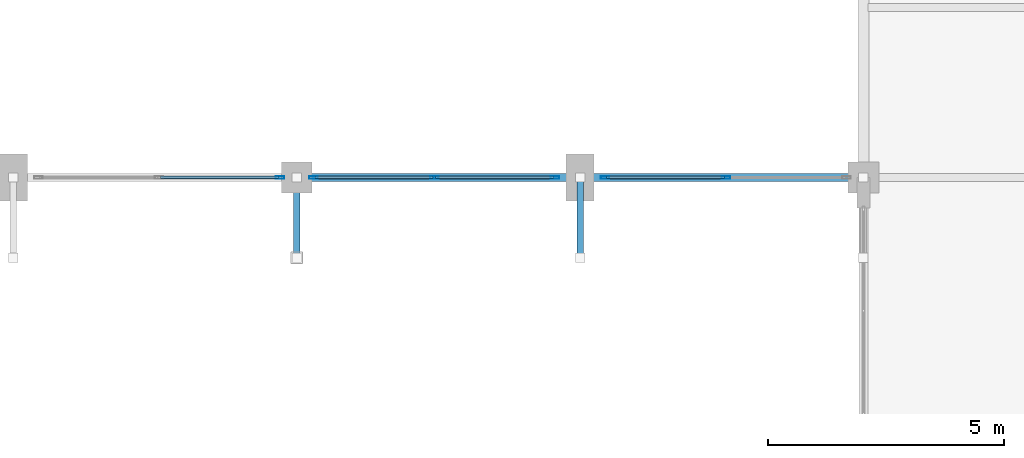
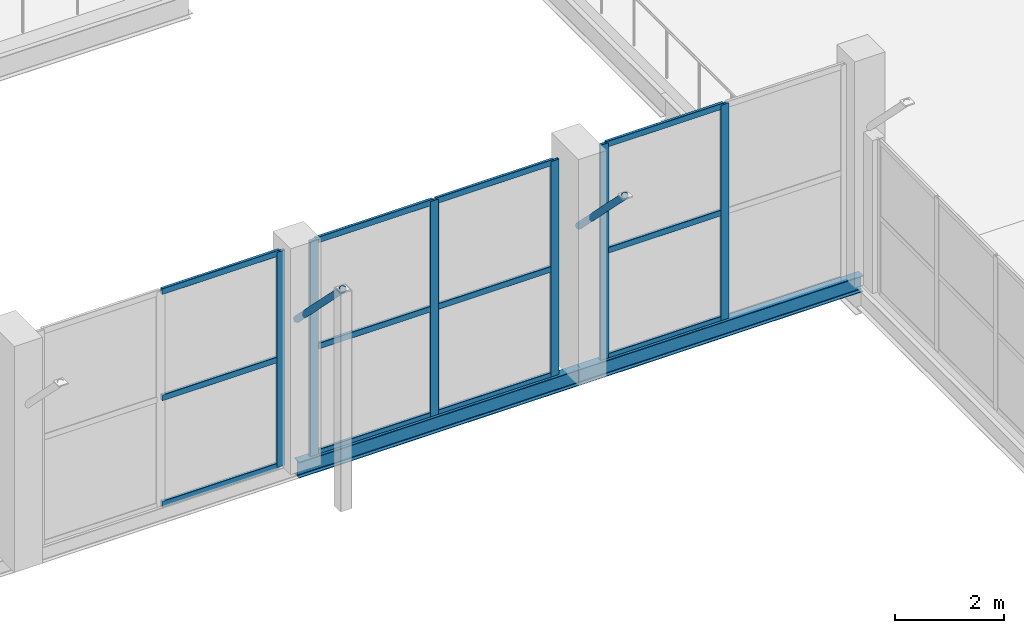
# One storey, part 29 of 127: 20 members, 2 beams, 3 elements without a shape of their own.
"""IFC4 building model written with IfcOpenShell, lengths in metres."""

from ifc_helpers import new_model, si_unit, direction, frame, origin, origin_2d, place, context, subcontext, project, spatial, hollow_rectangle, hollow_circle, i_section, extrude, material, layer, layer_set, material_profile, profile_set, type_object, element, aggregate, save


model = new_model("IFC4")

# Units and contexts
model_context = context("Model", 3, precision=1e-05, world=origin(), true_north=direction((0.0, 1.0)))
body_context = subcontext(model_context, "Body", "Model", "MODEL_VIEW")
ifc_project = project(units=[si_unit("LENGTHUNIT", "METRE"), si_unit("AREAUNIT", "SQUARE_METRE"), si_unit("VOLUMEUNIT", "CUBIC_METRE"), si_unit("PLANEANGLEUNIT", "RADIAN"), si_unit("MASSUNIT", "GRAM", prefix="KILO")], contexts=[model_context])

# Site, building, storey
site_placement = place(None, origin())
site = spatial("IfcSite", under=ifc_project, at=site_placement, CompositionType="ELEMENT")
building_placement = place(site_placement, origin())
building = spatial("IfcBuilding", under=site, at=building_placement, Name="Dunvalen Ferry Terminal", CompositionType="ELEMENT")
storey_placement = place(building_placement, frame((0.0, 0.0, 5.760009765625)))
storey = spatial("IfcBuildingStorey", under=building, at=storey_placement, Name="L01", CompositionType="ELEMENT", Elevation=5.760009765625)

# Curtain wall, member
ifc_material_1 = material(Name="Anodised marine aluminium and solar-control glazing", Category="aluminium")
ifc_layer = layer(ifc_material_1, 0.219970703125, Name="Anodised marine aluminium and solar-control glazing")
ifc_layer_set = layer_set([ifc_layer], Name="Anodised marine aluminium and solar-control glazing")
curtain_wall_type = type_object("IfcCurtainWallType", Name="ENV-CW-SYS-02", PredefinedType="NOTDEFINED", material=ifc_layer_set)
curtain_wall_1_placement = place(storey_placement, origin())
curtain_wall_1 = element("IfcCurtainWall", 1, at=curtain_wall_1_placement, inside=storey, type_object=curtain_wall_type, Name="L01 Curtain Wall CW-V1S-L01-05", PredefinedType="NOTDEFINED")
ifc_material_2 = material(Name="Anodised marine aluminium EN AW-6063 T6", Category="aluminium")
ifc_material_profile_1 = material_profile(ifc_material_2, hollow_rectangle(XDim=0.06005859375, YDim=0.179931640625, WallThickness=0.00341796875, InnerFilletRadius=0.00341796875, OuterFilletRadius=0.007080078125, at=origin_2d()), Name="Anodised marine aluminium EN AW-6063 T6")
ifc_profile_set_1 = profile_set([ifc_material_profile_1], Name="Anodised marine aluminium EN AW-6063 T6")
member_type_1 = type_object("IfcMemberType", Name="ENV-CW-MUL-2", PredefinedType="MULLION", material=ifc_profile_set_1)
member_1_placement = place(storey_placement, frame((65.64501953125, 50.39990234375, 0.02001953125), z_axis=(0.0, 0.0, 1.0), x_axis=(0.0, 1.0, 0.0)))
member_1 = element("IfcMember", 2, at=member_1_placement, type_object=member_type_1, Name="CW-02 mullion 3", PredefinedType="MULLION", context=body_context, shape_type="SweptSolid", body=[
    extrude(hollow_rectangle(XDim=0.06005859375, YDim=0.179931640625, WallThickness=0.00341796875, InnerFilletRadius=0.00341796875, OuterFilletRadius=0.007080078125, at=origin_2d()), origin(), (0.0, 0.0, 1.0), 4.840087890625),
])

# Curtain wall, members
curtain_wall_2_placement = place(storey_placement, origin())
curtain_wall_2 = element("IfcCurtainWall", 3, at=curtain_wall_2_placement, inside=storey, type_object=curtain_wall_type, Name="L01 Curtain Wall CW-V1S-L01-06", PredefinedType="NOTDEFINED")
member_2_placement = place(storey_placement, frame((66.35498046875, 50.39990234375, 0.02001953125), z_axis=(0.0, 0.0, 1.0), x_axis=(0.0, 1.0, 0.0)))
member_2 = element("IfcMember", 4, at=member_2_placement, type_object=member_type_1, Name="CW-02 mullion 1", PredefinedType="MULLION", context=body_context, shape_type="SweptSolid", body=[
    extrude(hollow_rectangle(XDim=0.06005859375, YDim=0.179931640625, WallThickness=0.00341796875, InnerFilletRadius=0.00341796875, OuterFilletRadius=0.007080078125, at=origin_2d()), origin(), (0.0, 0.0, 1.0), 4.840087890625),
])
member_3_placement = place(storey_placement, frame((68.91259765625, 50.39990234375, 0.02001953125), z_axis=(0.0, 0.0, 1.0), x_axis=(0.0, 1.0, 0.0)))
member_3 = element("IfcMember", 5, at=member_3_placement, type_object=member_type_1, Name="CW-02 mullion 2", PredefinedType="MULLION", context=body_context, shape_type="SweptSolid", body=[
    extrude(hollow_rectangle(XDim=0.06005859375, YDim=0.179931640625, WallThickness=0.00341796875, InnerFilletRadius=0.00341796875, OuterFilletRadius=0.007080078125, at=origin_2d()), origin(), (0.0, 0.0, 1.0), 4.840087890625),
])
member_4_placement = place(storey_placement, frame((71.469970703125, 50.39990234375, 0.02001953125), z_axis=(0.0, 0.0, 1.0), x_axis=(0.0, 1.0, 0.0)))
member_4 = element("IfcMember", 6, at=member_4_placement, type_object=member_type_1, Name="CW-02 mullion 3", PredefinedType="MULLION", context=body_context, shape_type="SweptSolid", body=[
    extrude(hollow_rectangle(XDim=0.06005859375, YDim=0.179931640625, WallThickness=0.00341796875, InnerFilletRadius=0.00341796875, OuterFilletRadius=0.007080078125, at=origin_2d()), origin(), (0.0, 0.0, 1.0), 4.840087890625),
])

curtain_wall_3_placement = place(storey_placement, origin())
curtain_wall_3 = element("IfcCurtainWall", 7, at=curtain_wall_3_placement, inside=storey, type_object=curtain_wall_type, Name="L01 Curtain Wall CW-V1S-L01-07", PredefinedType="NOTDEFINED")
member_5_placement = place(storey_placement, frame((72.530029296875, 50.39990234375, 0.02001953125), z_axis=(0.0, 0.0, 1.0), x_axis=(0.0, 1.0, 0.0)))
member_5 = element("IfcMember", 8, at=member_5_placement, type_object=member_type_1, Name="CW-02 mullion 1", PredefinedType="MULLION", context=body_context, shape_type="SweptSolid", body=[
    extrude(hollow_rectangle(XDim=0.06005859375, YDim=0.179931640625, WallThickness=0.00341796875, InnerFilletRadius=0.00341796875, OuterFilletRadius=0.007080078125, at=origin_2d()), origin(), (0.0, 0.0, 1.0), 4.840087890625),
])
member_6_placement = place(storey_placement, frame((75.08740234375, 50.39990234375, 0.02001953125), z_axis=(0.0, 0.0, 1.0), x_axis=(0.0, 1.0, 0.0)))
member_6 = element("IfcMember", 9, at=member_6_placement, type_object=member_type_1, Name="CW-02 mullion 2", PredefinedType="MULLION", context=body_context, shape_type="SweptSolid", body=[
    extrude(hollow_rectangle(XDim=0.06005859375, YDim=0.179931640625, WallThickness=0.00341796875, InnerFilletRadius=0.00341796875, OuterFilletRadius=0.007080078125, at=origin_2d()), origin(), (0.0, 0.0, 1.0), 4.840087890625),
])

# Member
ifc_material_profile_2 = material_profile(ifc_material_2, hollow_rectangle(XDim=0.06005859375, YDim=0.135009765625, WallThickness=0.003173828125, InnerFilletRadius=0.003173828125, OuterFilletRadius=0.00634765625, at=origin_2d()), Name="Anodised marine aluminium EN AW-6063 T6")
ifc_profile_set_2 = profile_set([ifc_material_profile_2], Name="Anodised marine aluminium EN AW-6063 T6")
member_type_2 = type_object("IfcMemberType", Name="ENV-CW-TRN-2", PredefinedType="USERDEFINED", material=ifc_profile_set_2)
member_7_placement = place(storey_placement, frame((63.117431640625, 50.39990234375, 0.050048828125), z_axis=(1.0, 0.0, 0.0), x_axis=(0.0, 1.0, 0.0)))
member_7 = element("IfcMember", 10, at=member_7_placement, type_object=member_type_2, Name="CW-02 transom 2.1", ObjectType="TRANSOM", PredefinedType="USERDEFINED", context=body_context, shape_type="SweptSolid", body=[
    extrude(hollow_rectangle(XDim=0.06005859375, YDim=0.135009765625, WallThickness=0.003173828125, InnerFilletRadius=0.003173828125, OuterFilletRadius=0.00634765625, at=origin_2d()), origin(), (0.0, 0.0, 1.0), 2.49755859375),
])

member_8_placement = place(storey_placement, frame((63.117431640625, 50.39990234375, 2.43994140625), z_axis=(1.0, 0.0, 0.0), x_axis=(0.0, 1.0, 0.0)))
member_8 = element("IfcMember", 11, at=member_8_placement, type_object=member_type_2, Name="CW-02 transom 2.2", ObjectType="TRANSOM", PredefinedType="USERDEFINED", context=body_context, shape_type="SweptSolid", body=[
    extrude(hollow_rectangle(XDim=0.06005859375, YDim=0.135009765625, WallThickness=0.003173828125, InnerFilletRadius=0.003173828125, OuterFilletRadius=0.00634765625, at=origin_2d()), origin(), (0.0, 0.0, 1.0), 2.49755859375),
])

member_9_placement = place(storey_placement, frame((63.117431640625, 50.39990234375, 4.830078125), z_axis=(1.0, 0.0, 0.0), x_axis=(0.0, 1.0, 0.0)))
member_9 = element("IfcMember", 12, at=member_9_placement, type_object=member_type_2, Name="CW-02 transom 2.3", ObjectType="TRANSOM", PredefinedType="USERDEFINED", context=body_context, shape_type="SweptSolid", body=[
    extrude(hollow_rectangle(XDim=0.06005859375, YDim=0.135009765625, WallThickness=0.003173828125, InnerFilletRadius=0.003173828125, OuterFilletRadius=0.00634765625, at=origin_2d()), origin(), (0.0, 0.0, 1.0), 2.49755859375),
])

aggregate(curtain_wall_1, [member_1, member_7, member_8, member_9])

member_10_placement = place(storey_placement, frame((66.385009765625, 50.39990234375, 0.050048828125), z_axis=(1.0, 0.0, 0.0), x_axis=(0.0, 1.0, 0.0)))
member_10 = element("IfcMember", 13, at=member_10_placement, type_object=member_type_2, Name="CW-02 transom 1.1", ObjectType="TRANSOM", PredefinedType="USERDEFINED", context=body_context, shape_type="SweptSolid", body=[
    extrude(hollow_rectangle(XDim=0.06005859375, YDim=0.135009765625, WallThickness=0.003173828125, InnerFilletRadius=0.003173828125, OuterFilletRadius=0.00634765625, at=origin_2d()), origin(), (0.0, 0.0, 1.0), 2.49755859375),
])

member_11_placement = place(storey_placement, frame((66.385009765625, 50.39990234375, 2.43994140625), z_axis=(1.0, 0.0, 0.0), x_axis=(0.0, 1.0, 0.0)))
member_11 = element("IfcMember", 14, at=member_11_placement, type_object=member_type_2, Name="CW-02 transom 1.2", ObjectType="TRANSOM", PredefinedType="USERDEFINED", context=body_context, shape_type="SweptSolid", body=[
    extrude(hollow_rectangle(XDim=0.06005859375, YDim=0.135009765625, WallThickness=0.003173828125, InnerFilletRadius=0.003173828125, OuterFilletRadius=0.00634765625, at=origin_2d()), origin(), (0.0, 0.0, 1.0), 2.49755859375),
])

member_12_placement = place(storey_placement, frame((66.385009765625, 50.39990234375, 4.830078125), z_axis=(1.0, 0.0, 0.0), x_axis=(0.0, 1.0, 0.0)))
member_12 = element("IfcMember", 15, at=member_12_placement, type_object=member_type_2, Name="CW-02 transom 1.3", ObjectType="TRANSOM", PredefinedType="USERDEFINED", context=body_context, shape_type="SweptSolid", body=[
    extrude(hollow_rectangle(XDim=0.06005859375, YDim=0.135009765625, WallThickness=0.003173828125, InnerFilletRadius=0.003173828125, OuterFilletRadius=0.00634765625, at=origin_2d()), origin(), (0.0, 0.0, 1.0), 2.49755859375),
])

member_13_placement = place(storey_placement, frame((68.9423828125, 50.39990234375, 0.050048828125), z_axis=(1.0, 0.0, 0.0), x_axis=(0.0, 1.0, 0.0)))
member_13 = element("IfcMember", 16, at=member_13_placement, type_object=member_type_2, Name="CW-02 transom 2.1", ObjectType="TRANSOM", PredefinedType="USERDEFINED", context=body_context, shape_type="SweptSolid", body=[
    extrude(hollow_rectangle(XDim=0.06005859375, YDim=0.135009765625, WallThickness=0.003173828125, InnerFilletRadius=0.003173828125, OuterFilletRadius=0.00634765625, at=origin_2d()), origin(), (0.0, 0.0, 1.0), 2.49755859375),
])

member_14_placement = place(storey_placement, frame((68.9423828125, 50.39990234375, 2.43994140625), z_axis=(1.0, 0.0, 0.0), x_axis=(0.0, 1.0, 0.0)))
member_14 = element("IfcMember", 17, at=member_14_placement, type_object=member_type_2, Name="CW-02 transom 2.2", ObjectType="TRANSOM", PredefinedType="USERDEFINED", context=body_context, shape_type="SweptSolid", body=[
    extrude(hollow_rectangle(XDim=0.06005859375, YDim=0.135009765625, WallThickness=0.003173828125, InnerFilletRadius=0.003173828125, OuterFilletRadius=0.00634765625, at=origin_2d()), origin(), (0.0, 0.0, 1.0), 2.49755859375),
])

member_15_placement = place(storey_placement, frame((68.9423828125, 50.39990234375, 4.830078125), z_axis=(1.0, 0.0, 0.0), x_axis=(0.0, 1.0, 0.0)))
member_15 = element("IfcMember", 18, at=member_15_placement, type_object=member_type_2, Name="CW-02 transom 2.3", ObjectType="TRANSOM", PredefinedType="USERDEFINED", context=body_context, shape_type="SweptSolid", body=[
    extrude(hollow_rectangle(XDim=0.06005859375, YDim=0.135009765625, WallThickness=0.003173828125, InnerFilletRadius=0.003173828125, OuterFilletRadius=0.00634765625, at=origin_2d()), origin(), (0.0, 0.0, 1.0), 2.49755859375),
])

aggregate(curtain_wall_2, [member_2, member_3, member_4, member_10, member_11, member_12, member_13, member_14, member_15])

member_16_placement = place(storey_placement, frame((72.56005859375, 50.39990234375, 0.050048828125), z_axis=(1.0, 0.0, 0.0), x_axis=(0.0, 1.0, 0.0)))
member_16 = element("IfcMember", 19, at=member_16_placement, type_object=member_type_2, Name="CW-02 transom 1.1", ObjectType="TRANSOM", PredefinedType="USERDEFINED", context=body_context, shape_type="SweptSolid", body=[
    extrude(hollow_rectangle(XDim=0.06005859375, YDim=0.135009765625, WallThickness=0.003173828125, InnerFilletRadius=0.003173828125, OuterFilletRadius=0.00634765625, at=origin_2d()), origin(), (0.0, 0.0, 1.0), 2.49755859375),
])

member_17_placement = place(storey_placement, frame((72.56005859375, 50.39990234375, 2.43994140625), z_axis=(1.0, 0.0, 0.0), x_axis=(0.0, 1.0, 0.0)))
member_17 = element("IfcMember", 20, at=member_17_placement, type_object=member_type_2, Name="CW-02 transom 1.2", ObjectType="TRANSOM", PredefinedType="USERDEFINED", context=body_context, shape_type="SweptSolid", body=[
    extrude(hollow_rectangle(XDim=0.06005859375, YDim=0.135009765625, WallThickness=0.003173828125, InnerFilletRadius=0.003173828125, OuterFilletRadius=0.00634765625, at=origin_2d()), origin(), (0.0, 0.0, 1.0), 2.49755859375),
])

member_18_placement = place(storey_placement, frame((72.56005859375, 50.39990234375, 4.830078125), z_axis=(1.0, 0.0, 0.0), x_axis=(0.0, 1.0, 0.0)))
member_18 = element("IfcMember", 21, at=member_18_placement, type_object=member_type_2, Name="CW-02 transom 1.3", ObjectType="TRANSOM", PredefinedType="USERDEFINED", context=body_context, shape_type="SweptSolid", body=[
    extrude(hollow_rectangle(XDim=0.06005859375, YDim=0.135009765625, WallThickness=0.003173828125, InnerFilletRadius=0.003173828125, OuterFilletRadius=0.00634765625, at=origin_2d()), origin(), (0.0, 0.0, 1.0), 2.49755859375),
])

aggregate(curtain_wall_3, [member_5, member_6, member_16, member_17, member_18])

# Beams
ifc_material_3 = material(Name="Steel S355", Category="steel")
ifc_material_profile_3 = material_profile(ifc_material_3, i_section(OverallWidth=0.169921875, OverallDepth=0.360107421875, WebThickness=0.008056640625, FlangeThickness=0.0126953125, FilletRadius=0.01806640625, at=origin_2d()), Name="Steel S355")
ifc_profile_set_3 = profile_set([ifc_material_profile_3], Name="Steel S355")
beam_type = type_object("IfcBeamType", Name="STR-BM-IPE360", PredefinedType="BEAM", material=ifc_profile_set_3)
for number, where, z_axis, x_axis, name in (
    (22, (66.0, 50.39990234375, -0.159912109375), (1.0, 0.0, 0.0), (0.0, 1.0, 0.0), "Departure Hall South Curtain-Wall Girt 06"),
    (23, (72.0, 50.39990234375, -0.159912109375), (1.0, 0.0, 0.0), (0.0, 1.0, 0.0), "Departure Hall South Curtain-Wall Girt 07"),
):
    element("IfcBeam", number, at=place(storey_placement, frame(where, z_axis=z_axis, x_axis=x_axis)), inside=storey, type_object=beam_type, Name=name, PredefinedType="BEAM", context=body_context, shape_type="SweptSolid", body=[
        extrude(i_section(OverallWidth=0.169921875, OverallDepth=0.360107421875, WebThickness=0.008056640625, FlangeThickness=0.0126953125, FilletRadius=0.01806640625, at=origin_2d()), origin(), (0.0, 0.0, 1.0), 6.0),
    ])

# Members
ifc_material_profile_4 = material_profile(ifc_material_3, hollow_circle(Radius=0.06982421875, WallThickness=0.00634765625, at=origin_2d()), Name="Steel S355")
ifc_profile_set_4 = profile_set([ifc_material_profile_4], Name="Steel S355")
member_type_3 = type_object("IfcMemberType", Name="STR-MB-CHS139", PredefinedType="BRACE", material=ifc_profile_set_4)
for number, where, z_axis, x_axis, name in (
    (24, (66.0, 50.39990234375, 3.18994140625), (0.0, -0.705028038092, 0.709179431106), (1.0, 0.0, 0.0), "Departure Hall South Eave Knee Strut 10"),
    (25, (72.0, 50.39990234375, 3.18994140625), (0.0, -0.705028038092, 0.709179431106), (1.0, 0.0, 0.0), "Departure Hall South Eave Knee Strut 11"),
):
    element("IfcMember", number, at=place(storey_placement, frame(where, z_axis=z_axis, x_axis=x_axis)), inside=storey, type_object=member_type_3, Name=name, PredefinedType="BRACE", context=body_context, shape_type="SweptSolid", body=[
        extrude(hollow_circle(Radius=0.06982421875, WallThickness=0.00634765625, at=origin_2d()), origin(), (0.0, 0.0, 1.0), 2.4111328125),
    ])

save(model, "model.ifc")
